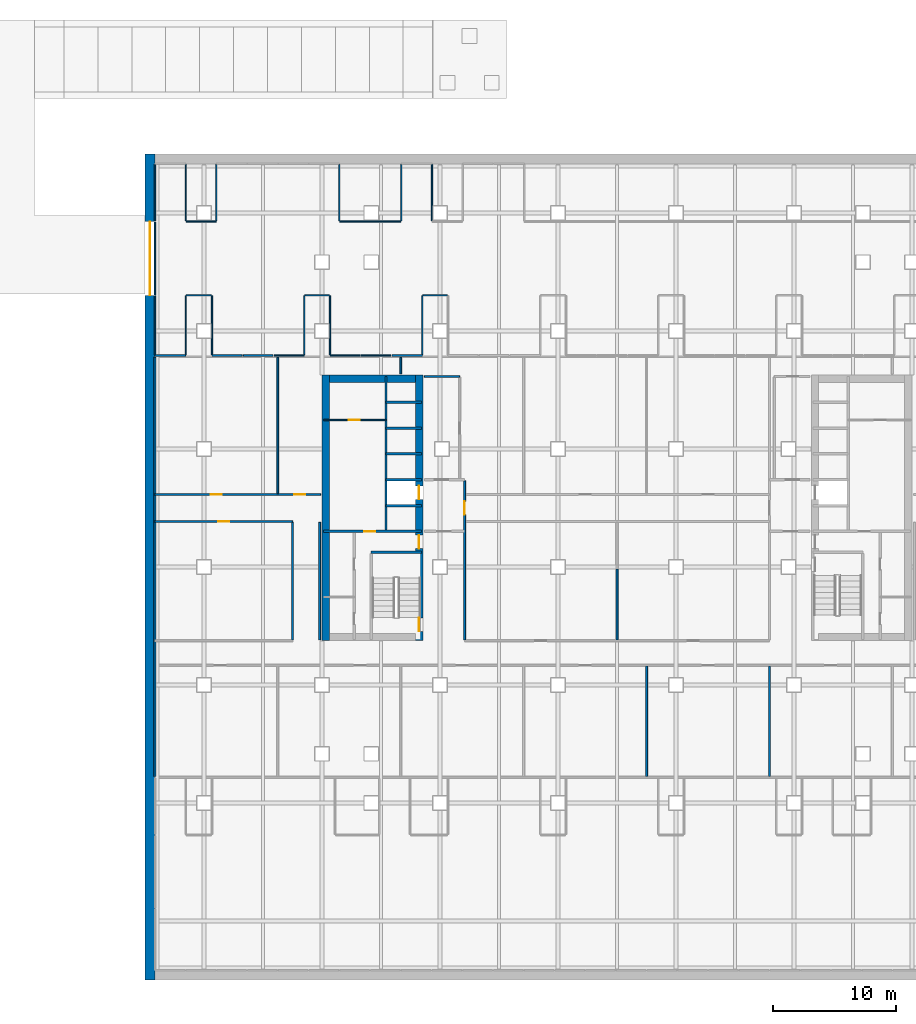
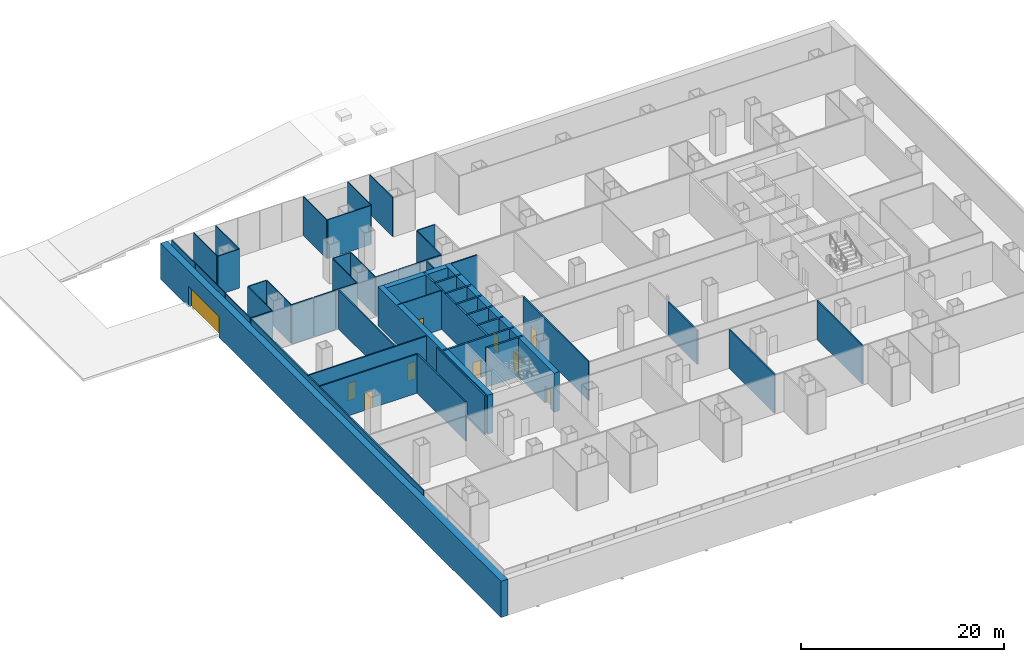
# One storey, part 7 of 11: 50 walls, 10 doors, 10 openings.
"""IFC4 building model written with IfcOpenShell, lengths in metres."""

from ifc_helpers import new_model, si_unit, direction, frame, frame_2d, origin, place, context, subcontext, project, spatial, rectangle, extrude, material, layer, layer_set, type_object, element, fill, save


model = new_model("IFC4")

# Units and contexts
model_context = context("Model", 3, precision=1e-05, world=origin(), true_north=direction((0.0, 1.0)))
body_context = subcontext(model_context, "Body", "Model", "MODEL_VIEW")
ifc_project = project(units=[si_unit("LENGTHUNIT", "METRE"), si_unit("AREAUNIT", "SQUARE_METRE"), si_unit("VOLUMEUNIT", "CUBIC_METRE"), si_unit("PLANEANGLEUNIT", "RADIAN"), si_unit("MASSUNIT", "GRAM", prefix="KILO")], contexts=[model_context])

# Site, building, storey
site_placement = place(None, origin())
site = spatial("IfcSite", under=ifc_project, at=site_placement, CompositionType="ELEMENT")
building_placement = place(site_placement, origin())
building = spatial("IfcBuilding", under=site, at=building_placement, Name="Cobrizo Arcos Hotel Tower", CompositionType="ELEMENT")
storey_placement = place(building_placement, frame((0.0, 0.0, -5.0)))
storey = spatial("IfcBuildingStorey", under=building, at=storey_placement, Name="B1", CompositionType="ELEMENT", Elevation=-5.0)

# Wall, opening, door
ifc_material_1 = material(Name="Gypsum board partition")
ifc_layer_1 = layer(ifc_material_1, 0.14990234375)
ifc_layer_set_1 = layer_set([ifc_layer_1], Name="Corridor wall EI 60 150")
wall_type_1 = type_object("IfcWallType", Name="Corridor wall EI 60 150", PredefinedType="PARTITIONING", material=ifc_layer_set_1)
wall_1_placement = place(storey_placement, frame((-37.60009765625, -1.10009765625, 0.0), z_axis=(0.0, 0.0, 1.0), x_axis=(1.0, 0.0, 0.0)))
wall_1 = element("IfcWall", 1, at=wall_1_placement, inside=storey, type_object=wall_type_1, Name="Partition 071", PredefinedType="PARTITIONING", context=body_context, shape_type="SweptSolid", body=[
    extrude(rectangle(XDim=11.2001953125, YDim=0.14990234375, at=frame_2d((5.60009765625, 0.0))), origin(), (0.0, 0.0, 1.0), 4.699951171875),
])
opening_1_placement = place(wall_1_placement, frame((5.14990234375, 0.0, 0.0)))
opening_1 = element("IfcOpeningElement", 2, at=opening_1_placement, cuts=wall_1, Name="Opening RD-19", PredefinedType="OPENING", context=body_context, shape_type="SweptSolid", body=[
    extrude(rectangle(XDim=0.89990234375, YDim=2.10009765625, at=frame_2d((0.449951171875, 1.050048828125))), frame((0.0, 0.0869140625, 0.0), z_axis=(0.0, -1.0, 0.0), x_axis=(1.0, 0.0, 0.0)), (0.0, 0.0, 1.0), 0.173828125),
])
ifc_material_2 = material(Name="Timber door leaf", Category="wood")
door_type_1 = type_object("IfcDoorType", Name="Room door FD30 900x2100", OperationType="SINGLE_SWING_LEFT", PredefinedType="DOOR", material=ifc_material_2)
door_1_placement = place(opening_1_placement, origin())
door_1 = element("IfcDoor", 3, at=door_1_placement, inside=storey, type_object=door_type_1, Name="Door RD-19", OperationType="SINGLE_SWING_LEFT", OverallHeight=2.10009765625, OverallWidth=0.89990234375, PredefinedType="DOOR", context=body_context, shape_type="SweptSolid", body=[
    extrude(rectangle(XDim=0.89990234375, YDim=2.10009765625, at=frame_2d((0.449951171875, 1.050048828125))), frame((0.0, 0.02490234375, 0.0), z_axis=(0.0, -1.0, 0.0), x_axis=(1.0, 0.0, 0.0)), (0.0, 0.0, 1.0), 0.050048828125),
])
fill(opening_1, door_1)

# Wall, openings, doors
wall_2_placement = place(storey_placement, frame((-37.60009765625, 1.10009765625, 0.0), z_axis=(0.0, 0.0, 1.0), x_axis=(1.0, 0.0, 0.0)))
wall_2 = element("IfcWall", 4, at=wall_2_placement, inside=storey, type_object=wall_type_1, Name="Partition 076", PredefinedType="PARTITIONING", context=body_context, shape_type="SweptSolid", body=[
    extrude(rectangle(XDim=13.47998046875, YDim=0.14990234375, at=frame_2d((6.739990234375, 0.0))), origin(), (0.0, 0.0, 1.0), 4.699951171875),
])
opening_2_placement = place(wall_2_placement, frame((4.550048828125, 0.0, 0.0)))
opening_2 = element("IfcOpeningElement", 5, at=opening_2_placement, cuts=wall_2, Name="Opening RD-20", PredefinedType="OPENING", context=body_context, shape_type="SweptSolid", body=[
    extrude(rectangle(XDim=0.89990234375, YDim=2.10009765625, at=frame_2d((0.449951171875, 1.050048828125))), frame((0.0, 0.0869140625, 0.0), z_axis=(0.0, -1.0, 0.0), x_axis=(1.0, 0.0, 0.0)), (0.0, 0.0, 1.0), 0.173828125),
])
opening_3_placement = place(wall_2_placement, frame((11.35009765625, 0.0, 0.0)))
opening_3 = element("IfcOpeningElement", 6, at=opening_3_placement, cuts=wall_2, Name="Opening RD-21", PredefinedType="OPENING", context=body_context, shape_type="SweptSolid", body=[
    extrude(rectangle(XDim=0.89990234375, YDim=2.10009765625, at=frame_2d((0.449951171875, 1.050048828125))), frame((0.0, 0.0869140625, 0.0), z_axis=(0.0, -1.0, 0.0), x_axis=(1.0, 0.0, 0.0)), (0.0, 0.0, 1.0), 0.173828125),
])
door_2_placement = place(opening_2_placement, origin())
door_2 = element("IfcDoor", 7, at=door_2_placement, inside=storey, type_object=door_type_1, Name="Door RD-20", OperationType="SINGLE_SWING_LEFT", OverallHeight=2.10009765625, OverallWidth=0.89990234375, PredefinedType="DOOR", context=body_context, shape_type="SweptSolid", body=[
    extrude(rectangle(XDim=0.89990234375, YDim=2.10009765625, at=frame_2d((0.449951171875, 1.050048828125))), frame((0.0, 0.02490234375, 0.0), z_axis=(0.0, -1.0, 0.0), x_axis=(1.0, 0.0, 0.0)), (0.0, 0.0, 1.0), 0.050048828125),
])
fill(opening_2, door_2)
door_3_placement = place(opening_3_placement, origin())
door_3 = element("IfcDoor", 8, at=door_3_placement, inside=storey, type_object=door_type_1, Name="Door RD-21", OperationType="SINGLE_SWING_LEFT", OverallHeight=2.10009765625, OverallWidth=0.89990234375, PredefinedType="DOOR", context=body_context, shape_type="SweptSolid", body=[
    extrude(rectangle(XDim=0.89990234375, YDim=2.10009765625, at=frame_2d((0.449951171875, 1.050048828125))), frame((0.0, 0.02490234375, 0.0), z_axis=(0.0, -1.0, 0.0), x_axis=(1.0, 0.0, 0.0)), (0.0, 0.0, 1.0), 0.050048828125),
])
fill(opening_3, door_3)

# Walls
wall_3_placement = place(storey_placement, frame((-15.679931640625, 10.699951171875, 0.0), z_axis=(0.0, 0.0, 1.0), x_axis=(1.0, 0.0, 0.0)))
element("IfcWall", 9, at=wall_3_placement, inside=storey, type_object=wall_type_1, Name="Partition 091", PredefinedType="PARTITIONING", context=body_context, shape_type="SweptSolid", body=[
    extrude(rectangle(XDim=2.8798828125, YDim=0.14990234375, at=frame_2d((1.43994140625, 0.0))), origin(), (0.0, 0.0, 1.0), 4.699951171875),
])
wall_4_placement = place(storey_placement, frame((-37.60009765625, 12.39990234375, 0.0), z_axis=(0.0, 0.0, 1.0), x_axis=(1.0, 0.0, 0.0)))
element("IfcWall", 10, at=wall_4_placement, inside=storey, type_object=wall_type_1, Name="Partition 094", PredefinedType="PARTITIONING", context=body_context, shape_type="SweptSolid", body=[
    extrude(rectangle(XDim=2.5, YDim=0.14990234375, at=frame_2d((1.25, 0.0))), origin(), (0.0, 0.0, 1.0), 4.699951171875),
])
wall_5_placement = place(storey_placement, frame((-32.949951171875, 12.39990234375, 0.0), z_axis=(0.0, 0.0, 1.0), x_axis=(1.0, 0.0, 0.0)))
element("IfcWall", 11, at=wall_5_placement, inside=storey, type_object=wall_type_1, Name="Partition 095", PredefinedType="PARTITIONING", context=body_context, shape_type="SweptSolid", body=[
    extrude(rectangle(XDim=2.449951171875, YDim=0.14990234375, at=frame_2d((1.22509765625, 0.0))), origin(), (0.0, 0.0, 1.0), 4.699951171875),
])
wall_6_placement = place(storey_placement, frame((-30.39990234375, 12.39990234375, 0.0), z_axis=(0.0, 0.0, 1.0), x_axis=(1.0, 0.0, 0.0)))
element("IfcWall", 12, at=wall_6_placement, inside=storey, type_object=wall_type_1, Name="Partition 096", PredefinedType="PARTITIONING", context=body_context, shape_type="SweptSolid", body=[
    extrude(rectangle(XDim=2.39990234375, YDim=0.14990234375, at=frame_2d((1.199951171875, 0.0))), origin(), (0.0, 0.0, 1.0), 4.699951171875),
])
wall_7_placement = place(storey_placement, frame((-18.300048828125, 12.39990234375, 0.0), z_axis=(0.0, 0.0, 1.0), x_axis=(1.0, 0.0, 0.0)))
element("IfcWall", 13, at=wall_7_placement, inside=storey, type_object=wall_type_1, Name="Partition 100", PredefinedType="PARTITIONING", context=body_context, shape_type="SweptSolid", body=[
    extrude(rectangle(XDim=2.449951171875, YDim=0.14990234375, at=frame_2d((1.22509765625, 0.0))), origin(), (0.0, 0.0, 1.0), 4.699951171875),
])
wall_8_placement = place(storey_placement, frame((-37.60009765625, -21.824951171875, 0.0), z_axis=(0.0, 0.0, 1.0), x_axis=(0.0, 1.0, 0.0)))
element("IfcWall", 14, at=wall_8_placement, inside=storey, type_object=wall_type_1, Name="Partition 138", PredefinedType="PARTITIONING", context=body_context, shape_type="SweptSolid", body=[
    extrude(rectangle(XDim=34.074951171875, YDim=0.14990234375, at=frame_2d((17.03759765625, 0.0))), origin(), (0.0, 0.0, 1.0), 4.699951171875),
])
wall_9_placement = place(storey_placement, frame((-27.60009765625, 1.175048828125, 0.0), z_axis=(0.0, 0.0, 1.0), x_axis=(0.0, 1.0, 0.0)))
element("IfcWall", 15, at=wall_9_placement, inside=storey, type_object=wall_type_1, Name="Partition 149", PredefinedType="PARTITIONING", context=body_context, shape_type="SweptSolid", body=[
    extrude(rectangle(XDim=11.074951171875, YDim=0.14990234375, at=frame_2d((5.53759765625, 0.0))), origin(), (0.0, 0.0, 1.0), 4.699951171875),
])
for number, where, z_axis, x_axis, name in (
    (16, (-26.39990234375, -10.72509765625, 0.0), (0.0, 0.0, 1.0), (0.0, 1.0, 0.0), "Partition 150"),
    (17, (-24.199951171875, -10.72509765625, 0.0), (0.0, 0.0, 1.0), (0.0, 1.0, 0.0), "Partition 152"),
):
    element("IfcWall", number, at=place(storey_placement, frame(where, z_axis=z_axis, x_axis=x_axis)), inside=storey, type_object=wall_type_1, Name=name, PredefinedType="PARTITIONING", context=body_context, shape_type="SweptSolid", body=[
        extrude(rectangle(XDim=9.550048828125, YDim=0.14990234375, at=frame_2d((4.77490234375, 0.0))), origin(), (0.0, 0.0, 1.0), 4.699951171875),
    ])
wall_10_placement = place(storey_placement, frame((-17.60009765625, 10.919921875, 0.0), z_axis=(0.0, 0.0, 1.0), x_axis=(0.0, 1.0, 0.0)))
element("IfcWall", 18, at=wall_10_placement, inside=storey, type_object=wall_type_1, Name="Partition 162", PredefinedType="PARTITIONING", context=body_context, shape_type="SweptSolid", body=[
    extrude(rectangle(XDim=1.330078125, YDim=0.14990234375, at=frame_2d((0.6650390625, 0.0))), origin(), (0.0, 0.0, 1.0), 4.699951171875),
])

# Wall, opening, door
wall_11_placement = place(storey_placement, frame((-12.39990234375, -10.72509765625, 0.0), z_axis=(0.0, 0.0, 1.0), x_axis=(0.0, 1.0, 0.0)))
wall_11 = element("IfcWall", 19, at=wall_11_placement, inside=storey, type_object=wall_type_1, Name="Partition 171", PredefinedType="PARTITIONING", context=body_context, shape_type="SweptSolid", body=[
    extrude(rectangle(XDim=12.925048828125, YDim=0.14990234375, at=frame_2d((6.46240234375, 0.0))), origin(), (0.0, 0.0, 1.0), 4.699951171875),
])
opening_4_placement = place(wall_11_placement, frame((10.175048828125, 0.0, 0.0)))
opening_4 = element("IfcOpeningElement", 20, at=opening_4_placement, cuts=wall_11, Name="Opening FD-03", PredefinedType="OPENING", context=body_context, shape_type="SweptSolid", body=[
    extrude(rectangle(XDim=1.10009765625, YDim=2.10009765625, at=frame_2d((0.550048828125, 1.050048828125))), frame((0.0, 0.0869140625, 0.0), z_axis=(0.0, -1.0, 0.0), x_axis=(1.0, 0.0, 0.0)), (0.0, 0.0, 1.0), 0.173828125),
])
ifc_material_3 = material(Name="Steel door leaf", Category="steel")
door_type_2 = type_object("IfcDoorType", Name="Fire door FD60 1100x2100", OperationType="SINGLE_SWING_LEFT", PredefinedType="DOOR", material=ifc_material_3)
door_4_placement = place(opening_4_placement, origin())
door_4 = element("IfcDoor", 21, at=door_4_placement, inside=storey, type_object=door_type_2, Name="Door FD-03", OperationType="SINGLE_SWING_LEFT", OverallHeight=2.10009765625, OverallWidth=1.10009765625, PredefinedType="DOOR", context=body_context, shape_type="SweptSolid", body=[
    extrude(rectangle(XDim=1.10009765625, YDim=2.10009765625, at=frame_2d((0.550048828125, 1.050048828125))), frame((0.0, 0.02490234375, 0.0), z_axis=(0.0, -1.0, 0.0), x_axis=(1.0, 0.0, 0.0)), (0.0, 0.0, 1.0), 0.050048828125),
])
fill(opening_4, door_4)

# Walls
wall_12_placement = place(storey_placement, frame((0.0, -10.72509765625, 0.0), z_axis=(0.0, 0.0, 1.0), x_axis=(0.0, 1.0, 0.0)))
element("IfcWall", 22, at=wall_12_placement, inside=storey, type_object=wall_type_1, Name="Partition 179", PredefinedType="PARTITIONING", context=body_context, shape_type="SweptSolid", body=[
    extrude(rectangle(XDim=5.77099609375, YDim=0.14990234375, at=frame_2d((2.885498046875, 0.0))), origin(), (0.0, 0.0, 1.0), 4.0830078125),
])
for number, where, z_axis, x_axis, name in (
    (23, (2.39990234375, -21.824951171875, 0.0), (0.0, 0.0, 1.0), (0.0, 1.0, 0.0), "Partition 182"),
    (24, (12.39990234375, -21.824951171875, 0.0), (0.0, 0.0, 1.0), (0.0, 1.0, 0.0), "Partition 188"),
):
    element("IfcWall", number, at=place(storey_placement, frame(where, z_axis=z_axis, x_axis=x_axis)), inside=storey, type_object=wall_type_1, Name=name, PredefinedType="PARTITIONING", context=body_context, shape_type="SweptSolid", body=[
        extrude(rectangle(XDim=8.949951171875, YDim=0.14990234375, at=frame_2d((4.47509765625, 0.0))), origin(), (0.0, 0.0, 1.0), 4.699951171875),
    ])

# Wall, opening, door
ifc_layer_2 = layer(ifc_material_1, 0.10009765625)
ifc_layer_set_2 = layer_set([ifc_layer_2], Name="Partition EI 30 100")
wall_type_2 = type_object("IfcWallType", Name="Partition EI 30 100", PredefinedType="PARTITIONING", material=ifc_layer_set_2)
wall_13_placement = place(storey_placement, frame((-23.8798828125, 7.14990234375, 0.0), z_axis=(0.0, 0.0, 1.0), x_axis=(1.0, 0.0, 0.0)))
wall_13 = element("IfcWall", 25, at=wall_13_placement, inside=storey, type_object=wall_type_2, Name="Partition 087", PredefinedType="PARTITIONING", context=body_context, shape_type="SweptSolid", body=[
    extrude(rectangle(XDim=5.079833984375, YDim=0.10009765625, at=frame_2d((2.5400390625, 0.0))), origin(), (0.0, 0.0, 1.0), 4.699951171875),
])
opening_5_placement = place(wall_13_placement, frame((2.030029296875, 0.0, 0.0)))
opening_5 = element("IfcOpeningElement", 26, at=opening_5_placement, cuts=wall_13, Name="Opening RD-04", PredefinedType="OPENING", context=body_context, shape_type="SweptSolid", body=[
    extrude(rectangle(XDim=0.89990234375, YDim=2.10009765625, at=frame_2d((0.449951171875, 1.050048828125))), frame((0.0, 0.06201171875, 0.0), z_axis=(0.0, -1.0, 0.0), x_axis=(1.0, 0.0, 0.0)), (0.0, 0.0, 1.0), 0.1240234375),
])
door_5_placement = place(opening_5_placement, origin())
door_5 = element("IfcDoor", 27, at=door_5_placement, inside=storey, type_object=door_type_1, Name="Door RD-04", OperationType="SINGLE_SWING_LEFT", OverallHeight=2.10009765625, OverallWidth=0.89990234375, PredefinedType="DOOR", context=body_context, shape_type="SweptSolid", body=[
    extrude(rectangle(XDim=0.89990234375, YDim=2.10009765625, at=frame_2d((0.449951171875, 1.050048828125))), frame((0.0, 0.02490234375, 0.0), z_axis=(0.0, -1.0, 0.0), x_axis=(1.0, 0.0, 0.0)), (0.0, 0.0, 1.0), 0.050048828125),
])
fill(opening_5, door_5)

# Walls
wall_14_placement = place(storey_placement, frame((-27.89990234375, 12.39990234375, 0.0), z_axis=(0.0, 0.0, 1.0), x_axis=(1.0, 0.0, 0.0)))
element("IfcWall", 28, at=wall_14_placement, inside=storey, type_object=wall_type_2, Name="Partition 097", PredefinedType="PARTITIONING", context=body_context, shape_type="SweptSolid", body=[
    extrude(rectangle(XDim=2.449951171875, YDim=0.10009765625, at=frame_2d((1.22509765625, 0.0))), origin(), (0.0, 0.0, 1.0), 4.699951171875),
])
wall_15_placement = place(storey_placement, frame((-23.35009765625, 12.39990234375, 0.0), z_axis=(0.0, 0.0, 1.0), x_axis=(1.0, 0.0, 0.0)))
element("IfcWall", 29, at=wall_15_placement, inside=storey, type_object=wall_type_2, Name="Partition 098", PredefinedType="PARTITIONING", context=body_context, shape_type="SweptSolid", body=[
    extrude(rectangle(XDim=2.4501953125, YDim=0.10009765625, at=frame_2d((1.22509765625, 0.0))), origin(), (0.0, 0.0, 1.0), 4.699951171875),
])
wall_16_placement = place(storey_placement, frame((-20.800048828125, 12.39990234375, 0.0), z_axis=(0.0, 0.0, 1.0), x_axis=(1.0, 0.0, 0.0)))
element("IfcWall", 30, at=wall_16_placement, inside=storey, type_object=wall_type_2, Name="Partition 099", PredefinedType="PARTITIONING", context=body_context, shape_type="SweptSolid", body=[
    extrude(rectangle(XDim=2.400146484375, YDim=0.10009765625, at=frame_2d((1.2001953125, 0.0))), origin(), (0.0, 0.0, 1.0), 4.699951171875),
])
wall_17_placement = place(storey_placement, frame((-35.050048828125, 17.300048828125, 0.0), z_axis=(0.0, 0.0, 1.0), x_axis=(1.0, 0.0, 0.0)))
element("IfcWall", 31, at=wall_17_placement, inside=storey, type_object=wall_type_2, Name="Partition 115", PredefinedType="PARTITIONING", context=body_context, shape_type="SweptSolid", body=[
    extrude(rectangle(XDim=2.050048828125, YDim=0.10009765625, at=frame_2d((1.02490234375, 0.0))), origin(), (0.0, 0.0, 1.0), 4.699951171875),
])
for number, where, z_axis, x_axis, name in (
    (32, (-25.39990234375, 17.300048828125, 0.0), (0.0, 0.0, 1.0), (1.0, 0.0, 0.0), "Partition 116"),
    (33, (-15.800048828125, 17.300048828125, 0.0), (0.0, 0.0, 1.0), (1.0, 0.0, 0.0), "Partition 117"),
):
    element("IfcWall", number, at=place(storey_placement, frame(where, z_axis=z_axis, x_axis=x_axis)), inside=storey, type_object=wall_type_2, Name=name, PredefinedType="PARTITIONING", context=body_context, shape_type="SweptSolid", body=[
        extrude(rectangle(XDim=2.0, YDim=0.10009765625, at=frame_2d((1.0, 0.0))), origin(), (0.0, 0.0, 1.0), 4.699951171875),
    ])
wall_18_placement = place(storey_placement, frame((-35.050048828125, 23.300048828125, 0.0), z_axis=(0.0, 0.0, 1.0), x_axis=(1.0, 0.0, 0.0)))
element("IfcWall", 34, at=wall_18_placement, inside=storey, type_object=wall_type_2, Name="Partition 123", PredefinedType="PARTITIONING", context=body_context, shape_type="SweptSolid", body=[
    extrude(rectangle(XDim=2.449951171875, YDim=0.10009765625, at=frame_2d((1.22509765625, 0.0))), origin(), (0.0, 0.0, 1.0), 4.699951171875),
])
wall_19_placement = place(storey_placement, frame((-22.550048828125, 23.300048828125, 0.0), z_axis=(0.0, 0.0, 1.0), x_axis=(1.0, 0.0, 0.0)))
element("IfcWall", 35, at=wall_19_placement, inside=storey, type_object=wall_type_2, Name="Partition 124", PredefinedType="PARTITIONING", context=body_context, shape_type="SweptSolid", body=[
    extrude(rectangle(XDim=4.949951171875, YDim=0.10009765625, at=frame_2d((2.47509765625, 0.0))), origin(), (0.0, 0.0, 1.0), 4.699951171875),
])
wall_20_placement = place(storey_placement, frame((-37.60009765625, 12.47509765625, 0.0), z_axis=(0.0, 0.0, 1.0), x_axis=(0.0, 1.0, 0.0)))
element("IfcWall", 36, at=wall_20_placement, inside=storey, type_object=wall_type_2, Name="Partition 139", PredefinedType="PARTITIONING", context=body_context, shape_type="SweptSolid", body=[
    extrude(rectangle(XDim=4.77490234375, YDim=0.10009765625, at=frame_2d((2.387451171875, 0.0))), origin(), (0.0, 0.0, 1.0), 4.699951171875),
])
wall_21_placement = place(storey_placement, frame((-37.60009765625, 17.35009765625, 0.0), z_axis=(0.0, 0.0, 1.0), x_axis=(0.0, 1.0, 0.0)))
element("IfcWall", 37, at=wall_21_placement, inside=storey, type_object=wall_type_2, Name="Partition 140", PredefinedType="PARTITIONING", context=body_context, shape_type="SweptSolid", body=[
    extrude(rectangle(XDim=5.89990234375, YDim=0.10009765625, at=frame_2d((2.949951171875, 0.0))), origin(), (0.0, 0.0, 1.0), 4.699951171875),
])
wall_22_placement = place(storey_placement, frame((-37.60009765625, 23.35009765625, 0.0), z_axis=(0.0, 0.0, 1.0), x_axis=(0.0, 1.0, 0.0)))
element("IfcWall", 38, at=wall_22_placement, inside=storey, type_object=wall_type_2, Name="Partition 141", PredefinedType="PARTITIONING", context=body_context, shape_type="SweptSolid", body=[
    extrude(rectangle(XDim=4.599853515625, YDim=0.10009765625, at=frame_2d((2.2998046875, 0.0))), origin(), (0.0, 0.0, 1.0), 4.699951171875),
])
wall_23_placement = place(storey_placement, frame((-35.10009765625, 12.47509765625, 0.0), z_axis=(0.0, 0.0, 1.0), x_axis=(0.0, 1.0, 0.0)))
element("IfcWall", 39, at=wall_23_placement, inside=storey, type_object=wall_type_2, Name="Partition 143", PredefinedType="PARTITIONING", context=body_context, shape_type="SweptSolid", body=[
    extrude(rectangle(XDim=4.77490234375, YDim=0.10009765625, at=frame_2d((2.387451171875, 0.0))), origin(), (0.0, 0.0, 1.0), 4.699951171875),
])
wall_24_placement = place(storey_placement, frame((-35.10009765625, 23.35009765625, 0.0), z_axis=(0.0, 0.0, 1.0), x_axis=(0.0, 1.0, 0.0)))
element("IfcWall", 40, at=wall_24_placement, inside=storey, type_object=wall_type_2, Name="Partition 144", PredefinedType="PARTITIONING", context=body_context, shape_type="SweptSolid", body=[
    extrude(rectangle(XDim=4.599853515625, YDim=0.10009765625, at=frame_2d((2.2998046875, 0.0))), origin(), (0.0, 0.0, 1.0), 4.699951171875),
])
wall_25_placement = place(storey_placement, frame((-32.949951171875, 12.47509765625, 0.0), z_axis=(0.0, 0.0, 1.0), x_axis=(0.0, 1.0, 0.0)))
element("IfcWall", 41, at=wall_25_placement, inside=storey, type_object=wall_type_2, Name="Partition 146", PredefinedType="PARTITIONING", context=body_context, shape_type="SweptSolid", body=[
    extrude(rectangle(XDim=4.77490234375, YDim=0.10009765625, at=frame_2d((2.387451171875, 0.0))), origin(), (0.0, 0.0, 1.0), 4.699951171875),
])
wall_26_placement = place(storey_placement, frame((-32.60009765625, 23.35009765625, 0.0), z_axis=(0.0, 0.0, 1.0), x_axis=(0.0, 1.0, 0.0)))
element("IfcWall", 42, at=wall_26_placement, inside=storey, type_object=wall_type_2, Name="Partition 147", PredefinedType="PARTITIONING", context=body_context, shape_type="SweptSolid", body=[
    extrude(rectangle(XDim=4.599853515625, YDim=0.10009765625, at=frame_2d((2.2998046875, 0.0))), origin(), (0.0, 0.0, 1.0), 4.699951171875),
])
for number, where, z_axis, x_axis, name in (
    (43, (-25.449951171875, 12.449951171875, 0.0), (0.0, 0.0, 1.0), (0.0, 1.0, 0.0), "Partition 151"),
    (44, (-23.35009765625, 12.449951171875, 0.0), (0.0, 0.0, 1.0), (0.0, 1.0, 0.0), "Partition 153"),
):
    element("IfcWall", number, at=place(storey_placement, frame(where, z_axis=z_axis, x_axis=x_axis)), inside=storey, type_object=wall_type_2, Name=name, PredefinedType="PARTITIONING", context=body_context, shape_type="SweptSolid", body=[
        extrude(rectangle(XDim=4.800048828125, YDim=0.10009765625, at=frame_2d((2.39990234375, 0.0))), origin(), (0.0, 0.0, 1.0), 4.699951171875),
    ])
for number, where, z_axis, x_axis, name in (
    (45, (-22.60009765625, 23.35009765625, 0.0), (0.0, 0.0, 1.0), (0.0, 1.0, 0.0), "Partition 155"),
    (46, (-17.550048828125, 23.35009765625, 0.0), (0.0, 0.0, 1.0), (0.0, 1.0, 0.0), "Partition 163"),
):
    element("IfcWall", number, at=place(storey_placement, frame(where, z_axis=z_axis, x_axis=x_axis)), inside=storey, type_object=wall_type_2, Name=name, PredefinedType="PARTITIONING", context=body_context, shape_type="SweptSolid", body=[
        extrude(rectangle(XDim=4.599853515625, YDim=0.10009765625, at=frame_2d((2.2998046875, 0.0))), origin(), (0.0, 0.0, 1.0), 4.699951171875),
    ])
wall_27_placement = place(storey_placement, frame((-15.85009765625, 12.47509765625, 0.0), z_axis=(0.0, 0.0, 1.0), x_axis=(0.0, 1.0, 0.0)))
element("IfcWall", 47, at=wall_27_placement, inside=storey, type_object=wall_type_2, Name="Partition 165", PredefinedType="PARTITIONING", context=body_context, shape_type="SweptSolid", body=[
    extrude(rectangle(XDim=4.77490234375, YDim=0.10009765625, at=frame_2d((2.387451171875, 0.0))), origin(), (0.0, 0.0, 1.0), 4.699951171875),
])
wall_28_placement = place(storey_placement, frame((-15.050048828125, 23.35009765625, 0.0), z_axis=(0.0, 0.0, 1.0), x_axis=(0.0, 1.0, 0.0)))
element("IfcWall", 48, at=wall_28_placement, inside=storey, type_object=wall_type_2, Name="Partition 166", PredefinedType="PARTITIONING", context=body_context, shape_type="SweptSolid", body=[
    extrude(rectangle(XDim=4.599853515625, YDim=0.10009765625, at=frame_2d((2.2998046875, 0.0))), origin(), (0.0, 0.0, 1.0), 4.699951171875),
])

# Wall, openings, doors
ifc_material_4 = material(Name="Concrete f'c 60 MPa", Category="concrete")
ifc_layer_3 = layer(ifc_material_4, 0.60009765625)
ifc_layer_set_3 = layer_set([ifc_layer_3], Name="RC core wall 600 f'c 60")
wall_type_3 = type_object("IfcWallType", Name="RC core wall 600 f'c 60", PredefinedType="SHEAR", material=ifc_layer_set_3)
wall_29_placement = place(storey_placement, frame((-16.10009765625, -10.800048828125, 0.0), z_axis=(0.0, 0.0, 1.0), x_axis=(0.0, 1.0, 0.0)))
wall_29 = element("IfcWall", 49, at=wall_29_placement, inside=storey, type_object=wall_type_3, Name="Core wall CW1, west core, inner face, B1", PredefinedType="SHEAR", context=body_context, shape_type="SweptSolid", body=[
    extrude(rectangle(XDim=21.60009765625, YDim=0.60009765625, at=frame_2d((10.800048828125, 0.0))), origin(), (0.0, 0.0, 1.0), 4.699951171875),
])
opening_6_placement = place(wall_29_placement, frame((11.5, 0.0, 0.0)))
opening_6 = element("IfcOpeningElement", 50, at=opening_6_placement, cuts=wall_29, Name="Opening LD-01", PredefinedType="OPENING", context=body_context, shape_type="SweptSolid", body=[
    extrude(rectangle(XDim=1.10009765625, YDim=2.10009765625, at=frame_2d((0.550048828125, 1.050048828125))), frame((0.0, 0.31201171875, 0.0), z_axis=(0.0, -1.0, 0.0), x_axis=(1.0, 0.0, 0.0)), (0.0, 0.0, 1.0), 0.6240234375),
])
opening_7_placement = place(wall_29_placement, frame((0.758056640625, 0.0, 0.0)))
opening_7 = element("IfcOpeningElement", 51, at=opening_7_placement, cuts=wall_29, Name="Opening SD-01", PredefinedType="OPENING", context=body_context, shape_type="SweptSolid", body=[
    extrude(rectangle(XDim=1.10009765625, YDim=2.10009765625, at=frame_2d((0.550048828125, 1.050048828125))), frame((0.0, 0.31201171875, 0.0), z_axis=(0.0, -1.0, 0.0), x_axis=(1.0, 0.0, 0.0)), (0.0, 0.0, 1.0), 0.6240234375),
])
opening_8_placement = place(wall_29_placement, frame((7.5, 0.0, 0.0)))
opening_8 = element("IfcOpeningElement", 52, at=opening_8_placement, cuts=wall_29, Name="Opening FD-01", PredefinedType="OPENING", context=body_context, shape_type="SweptSolid", body=[
    extrude(rectangle(XDim=1.10009765625, YDim=2.10009765625, at=frame_2d((0.550048828125, 1.050048828125))), frame((0.0, 0.31201171875, 0.0), z_axis=(0.0, -1.0, 0.0), x_axis=(1.0, 0.0, 0.0)), (0.0, 0.0, 1.0), 0.6240234375),
])
door_6_placement = place(opening_8_placement, origin())
door_6 = element("IfcDoor", 53, at=door_6_placement, inside=storey, type_object=door_type_2, Name="Door FD-01", OperationType="SINGLE_SWING_RIGHT", OverallHeight=2.10009765625, OverallWidth=1.10009765625, PredefinedType="DOOR", context=body_context, shape_type="SweptSolid", body=[
    extrude(rectangle(XDim=1.10009765625, YDim=2.10009765625, at=frame_2d((0.550048828125, 1.050048828125))), frame((0.0, 0.02490234375, 0.0), z_axis=(0.0, -1.0, 0.0), x_axis=(1.0, 0.0, 0.0)), (0.0, 0.0, 1.0), 0.050048828125),
])
fill(opening_8, door_6)
door_type_3 = type_object("IfcDoorType", Name="Lift landing door 1100x2100", OperationType="SLIDING_TO_LEFT", PredefinedType="DOOR", material=ifc_material_3)
door_7_placement = place(opening_6_placement, origin())
door_7 = element("IfcDoor", 54, at=door_7_placement, inside=storey, type_object=door_type_3, Name="Lift landing door LD-01", OperationType="SLIDING_TO_LEFT", OverallHeight=2.10009765625, OverallWidth=1.10009765625, PredefinedType="DOOR", context=body_context, shape_type="SweptSolid", body=[
    extrude(rectangle(XDim=1.10009765625, YDim=2.10009765625, at=frame_2d((0.550048828125, 1.050048828125))), frame((0.0, 0.02490234375, 0.0), z_axis=(0.0, -1.0, 0.0), x_axis=(1.0, 0.0, 0.0)), (0.0, 0.0, 1.0), 0.050048828125),
])
fill(opening_6, door_7)
door_type_4 = type_object("IfcDoorType", Name="Stair door FD60S 1100x2100", OperationType="SINGLE_SWING_LEFT", PredefinedType="DOOR", material=ifc_material_3)
door_8_placement = place(opening_7_placement, origin())
door_8 = element("IfcDoor", 55, at=door_8_placement, inside=storey, type_object=door_type_4, Name="Door SD-01", OperationType="SINGLE_SWING_RIGHT", OverallHeight=2.10009765625, OverallWidth=1.10009765625, PredefinedType="DOOR", context=body_context, shape_type="SweptSolid", body=[
    extrude(rectangle(XDim=1.10009765625, YDim=2.10009765625, at=frame_2d((0.550048828125, 1.050048828125))), frame((0.0, 0.02490234375, 0.0), z_axis=(0.0, -1.0, 0.0), x_axis=(1.0, 0.0, 0.0)), (0.0, 0.0, 1.0), 0.050048828125),
])
fill(opening_7, door_8)

# Walls
wall_30_placement = place(storey_placement, frame((-23.699951171875, -10.800048828125, 0.0), z_axis=(0.0, 0.0, 1.0), x_axis=(0.0, 1.0, 0.0)))
element("IfcWall", 56, at=wall_30_placement, inside=storey, type_object=wall_type_3, Name="Core wall CW1, west core, outer face, B1", PredefinedType="SHEAR", context=body_context, shape_type="SweptSolid", body=[
    extrude(rectangle(XDim=21.60009765625, YDim=0.60009765625, at=frame_2d((10.800048828125, 0.0))), origin(), (0.0, 0.0, 1.0), 4.699951171875),
])
wall_31_placement = place(storey_placement, frame((-23.39990234375, 10.5, 0.0), z_axis=(0.0, 0.0, 1.0), x_axis=(1.0, 0.0, 0.0)))
element("IfcWall", 57, at=wall_31_placement, inside=storey, type_object=wall_type_3, Name="Core wall CW1, west core, north end, B1", PredefinedType="SHEAR", context=body_context, shape_type="SweptSolid", body=[
    extrude(rectangle(XDim=7.0, YDim=0.60009765625, at=frame_2d((3.5, 0.0))), origin(), (0.0, 0.0, 1.0), 4.699951171875),
])

# Wall, opening, door
ifc_material_5 = material(Name="Concrete f'c 40 MPa", Category="concrete")
ifc_layer_4 = layer(ifc_material_5, 0.800048828125)
ifc_layer_set_4 = layer_set([ifc_layer_4], Name="Retaining wall 800 f'c 40")
wall_type_4 = type_object("IfcWallType", Name="Retaining wall 800 f'c 40", PredefinedType="SOLIDWALL", material=ifc_layer_set_4)
wall_32_placement = place(storey_placement, frame((-38.0, -38.39990234375, -0.300048828125), z_axis=(0.0, 0.0, 1.0), x_axis=(0.0, 1.0, 0.0)))
wall_32 = element("IfcWall", 58, at=wall_32_placement, inside=storey, type_object=wall_type_4, Name="Retaining wall RW-B1-W, west side, B1", PredefinedType="SOLIDWALL", context=body_context, shape_type="SweptSolid", body=[
    extrude(rectangle(XDim=67.199951171875, YDim=0.800048828125, at=frame_2d((33.60009765625, 0.0))), origin(), (0.0, 0.0, 1.0), 4.377685546875),
])
opening_9_placement = place(wall_32_placement, frame((55.699951171875, 0.0, 0.0)))
opening_9 = element("IfcOpeningElement", 59, at=opening_9_placement, cuts=wall_32, Name="Opening G-01", PredefinedType="OPENING", context=body_context, shape_type="SweptSolid", body=[
    extrude(rectangle(XDim=6.0, YDim=2.5, at=frame_2d((3.0, 1.25))), frame((0.0, 0.412109375, 0.0), z_axis=(0.0, -1.0, 0.0), x_axis=(1.0, 0.0, 0.0)), (0.0, 0.0, 1.0), 0.823974609375),
])
ifc_material_6 = material(Name="Galvanised steel roller shutter", Category="steel")
door_type_5 = type_object("IfcDoorType", Name="Vehicle gate 6000 x 2500 rolling", OperationType="ROLLINGUP", PredefinedType="GATE", material=ifc_material_6)
door_9_placement = place(opening_9_placement, origin())
door_9 = element("IfcDoor", 60, at=door_9_placement, inside=storey, type_object=door_type_5, Name="Vehicle gate B1", OperationType="ROLLINGUP", OverallHeight=2.5, OverallWidth=6.0, PredefinedType="GATE", context=body_context, shape_type="SweptSolid", body=[
    extrude(rectangle(XDim=6.0, YDim=2.5, at=frame_2d((3.0, 1.25))), frame((0.0, 0.02490234375, 0.0), z_axis=(0.0, -1.0, 0.0), x_axis=(1.0, 0.0, 0.0)), (0.0, 0.0, 1.0), 0.050048828125),
])
fill(opening_9, door_9)

ifc_layer_5 = layer(ifc_material_1, 0.199951171875)
ifc_layer_set_5 = layer_set([ifc_layer_5], Name="Shaft wall EI 120 200")
wall_type_5 = type_object("IfcWallType", Name="Shaft wall EI 120 200", PredefinedType="PARTITIONING", material=ifc_layer_set_5)
wall_33_placement = place(storey_placement, frame((-23.8798828125, -1.89990234375, 0.0), z_axis=(0.0, 0.0, 1.0), x_axis=(1.0, 0.0, 0.0)))
wall_33 = element("IfcWall", 61, at=wall_33_placement, inside=storey, type_object=wall_type_5, Name="Partition 067", PredefinedType="PARTITIONING", context=body_context, shape_type="SweptSolid", body=[
    extrude(rectangle(XDim=7.9599609375, YDim=0.199951171875, at=frame_2d((3.97998046875, 0.0))), origin(), (0.0, 0.0, 1.0), 4.699951171875),
])
opening_10_placement = place(wall_33_placement, frame((3.320068359375, 0.0, 0.0)))
opening_10 = element("IfcOpeningElement", 62, at=opening_10_placement, cuts=wall_33, Name="Opening RD-03", PredefinedType="OPENING", context=body_context, shape_type="SweptSolid", body=[
    extrude(rectangle(XDim=0.89990234375, YDim=2.10009765625, at=frame_2d((0.449951171875, 1.050048828125))), frame((0.0, 0.112060546875, 0.0), z_axis=(0.0, -1.0, 0.0), x_axis=(1.0, 0.0, 0.0)), (0.0, 0.0, 1.0), 0.223876953125),
])
door_10_placement = place(opening_10_placement, origin())
door_10 = element("IfcDoor", 63, at=door_10_placement, inside=storey, type_object=door_type_1, Name="Door RD-03", OperationType="SINGLE_SWING_RIGHT", OverallHeight=2.10009765625, OverallWidth=0.89990234375, PredefinedType="DOOR", context=body_context, shape_type="SweptSolid", body=[
    extrude(rectangle(XDim=0.89990234375, YDim=2.10009765625, at=frame_2d((0.449951171875, 1.050048828125))), frame((0.0, 0.02490234375, 0.0), z_axis=(0.0, -1.0, 0.0), x_axis=(1.0, 0.0, 0.0)), (0.0, 0.0, 1.0), 0.050048828125),
])
fill(opening_10, door_10)

# Walls
for number, where, z_axis, x_axis, name in (
    (64, (-18.800048828125, 0.199951171875, 0.0), (0.0, 0.0, 1.0), (1.0, 0.0, 0.0), "Partition 074"),
    (65, (-18.800048828125, 2.300048828125, 0.0), (0.0, 0.0, 1.0), (1.0, 0.0, 0.0), "Partition 079"),
    (66, (-18.800048828125, 4.39990234375, 0.0), (0.0, 0.0, 1.0), (1.0, 0.0, 0.0), "Partition 083"),
    (67, (-18.800048828125, 6.5, 0.0), (0.0, 0.0, 1.0), (1.0, 0.0, 0.0), "Partition 085"),
    (68, (-18.800048828125, 8.60009765625, 0.0), (0.0, 0.0, 1.0), (1.0, 0.0, 0.0), "Partition 089"),
):
    element("IfcWall", number, at=place(storey_placement, frame(where, z_axis=z_axis, x_axis=x_axis)), inside=storey, type_object=wall_type_5, Name=name, PredefinedType="PARTITIONING", context=body_context, shape_type="SweptSolid", body=[
        extrude(rectangle(XDim=2.880126953125, YDim=0.199951171875, at=frame_2d((1.43994140625, 0.0))), origin(), (0.0, 0.0, 1.0), 4.699951171875),
    ])
wall_34_placement = place(storey_placement, frame((-18.800048828125, -1.800048828125, 0.0), z_axis=(0.0, 0.0, 1.0), x_axis=(0.0, 1.0, 0.0)))
element("IfcWall", 69, at=wall_34_placement, inside=storey, type_object=wall_type_5, Name="Partition 160", PredefinedType="PARTITIONING", context=body_context, shape_type="SweptSolid", body=[
    extrude(rectangle(XDim=12.47998046875, YDim=0.199951171875, at=frame_2d((6.239990234375, 0.0))), origin(), (0.0, 0.0, 1.0), 4.699951171875),
])
ifc_layer_6 = layer(ifc_material_5, 0.199951171875)
ifc_layer_set_6 = layer_set([ifc_layer_6], Name="Stair shaft wall 200")
wall_type_6 = type_object("IfcWallType", Name="Stair shaft wall 200", PredefinedType="SHEAR", material=ifc_layer_set_6)
wall_35_placement = place(storey_placement, frame((-20.0, -3.60009765625, 0.0), z_axis=(0.0, 0.0, 1.0), x_axis=(1.0, 0.0, 0.0)))
element("IfcWall", 70, at=wall_35_placement, inside=storey, type_object=wall_type_6, Name="Stair shaft wall W", PredefinedType="SHEAR", context=body_context, shape_type="SweptSolid", body=[
    extrude(rectangle(XDim=4.080078125, YDim=0.199951171875, at=frame_2d((2.0400390625, 0.0))), origin(), (0.0, 0.0, 1.0), 4.699951171875),
])

save(model, "model.ifc")
